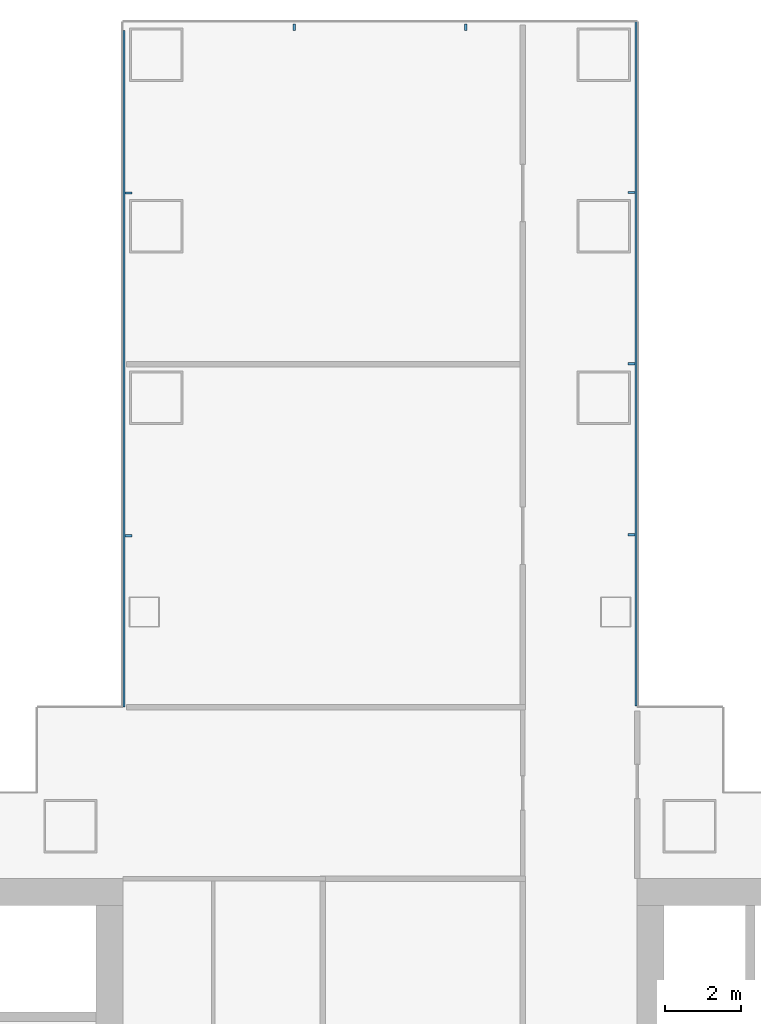
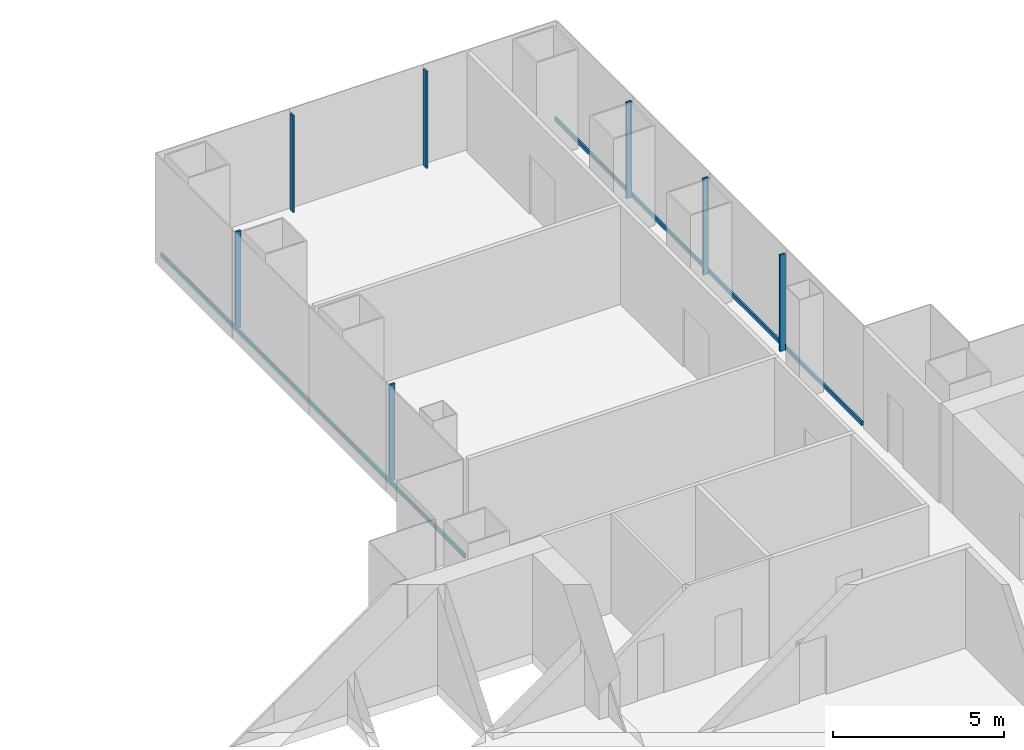
# One storey, part 10 of 21: 9 members, 3 elements without a shape of their own.
"""IFC4 building model written with IfcOpenShell, lengths in metres."""

from ifc_helpers import new_model, si_unit, direction, frame, origin, origin_2d, place, context, subcontext, project, spatial, rectangle, extrude, material, layer, layer_set, material_profile, profile_set, type_object, element, aggregate, save


model = new_model("IFC4")

# Units and contexts
model_context = context("Model", 3, precision=1e-05, world=origin(), true_north=direction((0.0, 1.0)))
body_context = subcontext(model_context, "Body", "Model", "MODEL_VIEW")
ifc_project = project(units=[si_unit("LENGTHUNIT", "METRE"), si_unit("AREAUNIT", "SQUARE_METRE"), si_unit("VOLUMEUNIT", "CUBIC_METRE"), si_unit("PLANEANGLEUNIT", "RADIAN"), si_unit("MASSUNIT", "GRAM", prefix="KILO")], contexts=[model_context])

# Site, building, storey
site_placement = place(None, origin())
site = spatial("IfcSite", under=ifc_project, at=site_placement, CompositionType="ELEMENT")
building_placement = place(site_placement, origin())
building = spatial("IfcBuilding", under=site, at=building_placement, Name="Shamsa Quay Exchange Towers", CompositionType="ELEMENT")
storey_placement = place(building_placement, frame((0.0, 0.0, 61.5)))
storey = spatial("IfcBuildingStorey", under=building, at=storey_placement, Name="L13", CompositionType="ELEMENT", Elevation=61.5)

# Curtain wall, members
ifc_material = material(Name="Aluminium EN AW-6063 T6, black anodised", Category="aluminium")
ifc_layer = layer(ifc_material, 0.280029296875)
ifc_layer_set = layer_set([ifc_layer], Name="CW-1 UNITISED VISION GLASS")
curtain_wall_type = type_object("IfcCurtainWallType", Name="CW-1 UNITISED VISION GLASS", PredefinedType="NOTDEFINED", material=ifc_layer_set)
curtain_wall_1_placement = place(storey_placement, origin())
curtain_wall_1 = element("IfcCurtainWall", 1, at=curtain_wall_1_placement, inside=storey, type_object=curtain_wall_type, Name="CW1 T2-FLK-U+S L13", PredefinedType="NOTDEFINED")
ifc_material_profile_1 = material_profile(ifc_material, rectangle(XDim=0.179931640625, YDim=0.06005859375, at=origin_2d()), Name="MU60x180")
ifc_profile_set_1 = profile_set([ifc_material_profile_1], Name="Aluminium EN AW-6063 T6, black anodised")
member_type_1 = type_object("IfcMemberType", Name="CW1 MULLION 60x180", PredefinedType="MULLION", material=ifc_profile_set_1)
member_1_placement = place(storey_placement, frame((40.35009765625, 15.778564453125, 0.0), z_axis=(0.0, 0.0, 1.0), x_axis=(-1.0, 0.0, 0.0)))
member_1 = element("IfcMember", 2, at=member_1_placement, type_object=member_type_1, Name="CW1 mullion", PredefinedType="MULLION", context=body_context, shape_type="SweptSolid", body=[
    extrude(rectangle(XDim=0.179931640625, YDim=0.06005859375, at=origin_2d()), origin(), (0.0, 0.0, 1.0), 3.449951171875),
])
member_2_placement = place(storey_placement, frame((40.35009765625, 20.26904296875, 0.0), z_axis=(0.0, 0.0, 1.0), x_axis=(-1.0, 0.0, 0.0)))
member_2 = element("IfcMember", 3, at=member_2_placement, type_object=member_type_1, Name="CW1 mullion", PredefinedType="MULLION", context=body_context, shape_type="SweptSolid", body=[
    extrude(rectangle(XDim=0.179931640625, YDim=0.06005859375, at=origin_2d()), origin(), (0.0, 0.0, 1.0), 3.449951171875),
])
member_3_placement = place(storey_placement, frame((40.35009765625, 24.759521484375, 0.0), z_axis=(0.0, 0.0, 1.0), x_axis=(-1.0, 0.0, 0.0)))
member_3 = element("IfcMember", 4, at=member_3_placement, type_object=member_type_1, Name="CW1 mullion", PredefinedType="MULLION", context=body_context, shape_type="SweptSolid", body=[
    extrude(rectangle(XDim=0.179931640625, YDim=0.06005859375, at=origin_2d()), origin(), (0.0, 0.0, 1.0), 3.449951171875),
])

curtain_wall_2_placement = place(storey_placement, origin())
curtain_wall_2 = element("IfcCurtainWall", 5, at=curtain_wall_2_placement, inside=storey, type_object=curtain_wall_type, Name="CW1 T2-END-U+ L13", PredefinedType="NOTDEFINED")
member_4_placement = place(storey_placement, frame((36.0, 29.10009765625, 0.0), z_axis=(0.0, 0.0, 1.0), x_axis=(0.0, -1.0, 0.0)))
member_4 = element("IfcMember", 6, at=member_4_placement, type_object=member_type_1, Name="CW1 mullion", PredefinedType="MULLION", context=body_context, shape_type="SweptSolid", body=[
    extrude(rectangle(XDim=0.179931640625, YDim=0.06005859375, at=origin_2d()), origin(), (0.0, 0.0, 1.0), 3.449951171875),
])
member_5_placement = place(storey_placement, frame((31.5, 29.10009765625, 0.0), z_axis=(0.0, 0.0, 1.0), x_axis=(0.0, -1.0, 0.0)))
member_5 = element("IfcMember", 7, at=member_5_placement, type_object=member_type_1, Name="CW1 mullion", PredefinedType="MULLION", context=body_context, shape_type="SweptSolid", body=[
    extrude(rectangle(XDim=0.179931640625, YDim=0.06005859375, at=origin_2d()), origin(), (0.0, 0.0, 1.0), 3.449951171875),
])
aggregate(curtain_wall_2, [member_4, member_5])

curtain_wall_3_placement = place(storey_placement, origin())
curtain_wall_3 = element("IfcCurtainWall", 8, at=curtain_wall_3_placement, inside=storey, type_object=curtain_wall_type, Name="CW1 T2-FLK-U+N L13", PredefinedType="NOTDEFINED")
member_6_placement = place(storey_placement, frame((27.14990234375, 24.75, 0.0)))
member_6 = element("IfcMember", 9, at=member_6_placement, type_object=member_type_1, Name="CW1 mullion", PredefinedType="MULLION", context=body_context, shape_type="SweptSolid", body=[
    extrude(rectangle(XDim=0.179931640625, YDim=0.06005859375, at=origin_2d()), origin(), (0.0, 0.0, 1.0), 3.449951171875),
])
member_7_placement = place(storey_placement, frame((27.14990234375, 15.75, 0.0)))
member_7 = element("IfcMember", 10, at=member_7_placement, type_object=member_type_1, Name="CW1 mullion", PredefinedType="MULLION", context=body_context, shape_type="SweptSolid", body=[
    extrude(rectangle(XDim=0.179931640625, YDim=0.06005859375, at=origin_2d()), origin(), (0.0, 0.0, 1.0), 3.449951171875),
])

# Member
ifc_material_profile_2 = material_profile(ifc_material, rectangle(XDim=0.06005859375, YDim=0.139892578125, at=origin_2d()), Name="TR140x60")
ifc_profile_set_2 = profile_set([ifc_material_profile_2], Name="Aluminium EN AW-6063 T6, black anodised")
member_type_2 = type_object("IfcMemberType", Name="CW1 TRANSOM 140x60", PredefinedType="USERDEFINED", material=ifc_profile_set_2)
member_8_placement = place(storey_placement, frame((40.469970703125, 11.2880859375, 0.070068359375), z_axis=(0.0, 1.0, 0.0), x_axis=(-1.0, 0.0, 0.0)))
member_8 = element("IfcMember", 11, at=member_8_placement, type_object=member_type_2, Name="CW1 transom", ObjectType="TRANSOM", PredefinedType="USERDEFINED", context=body_context, shape_type="SweptSolid", body=[
    extrude(rectangle(XDim=0.06005859375, YDim=0.139892578125, at=origin_2d()), origin(), (0.0, 0.0, 1.0), 17.9619140625),
])

aggregate(curtain_wall_1, [member_8, member_1, member_2, member_3])

member_9_placement = place(storey_placement, frame((27.030029296875, 29.008056640625, 0.070068359375), z_axis=(0.0, -1.0, 0.0), x_axis=(1.0, 0.0, 0.0)))
member_9 = element("IfcMember", 12, at=member_9_placement, type_object=member_type_2, Name="CW1 transom", ObjectType="TRANSOM", PredefinedType="USERDEFINED", context=body_context, shape_type="SweptSolid", body=[
    extrude(rectangle(XDim=0.06005859375, YDim=0.139892578125, at=origin_2d()), origin(), (0.0, 0.0, 1.0), 17.758056640625),
])

aggregate(curtain_wall_3, [member_9, member_6, member_7])

save(model, "model.ifc")
